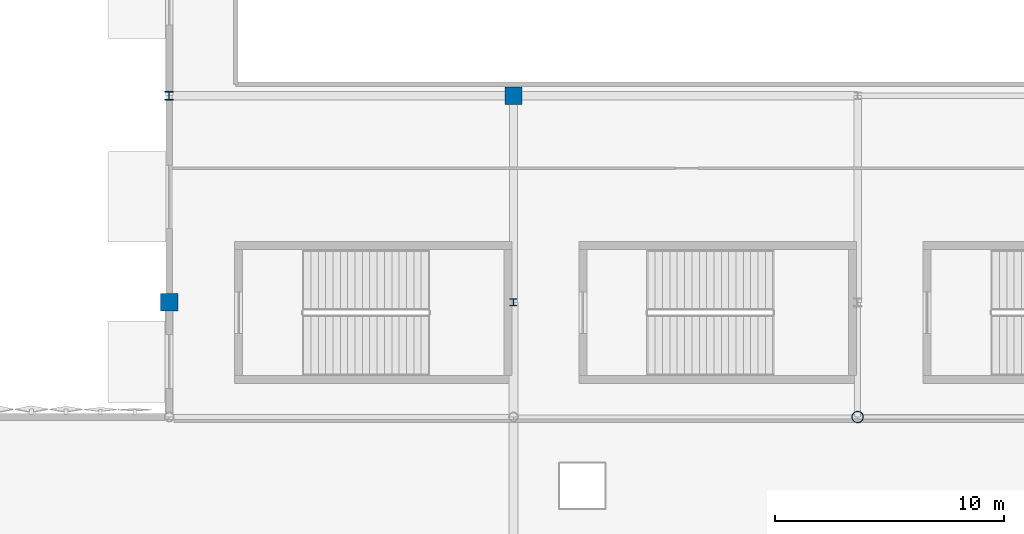
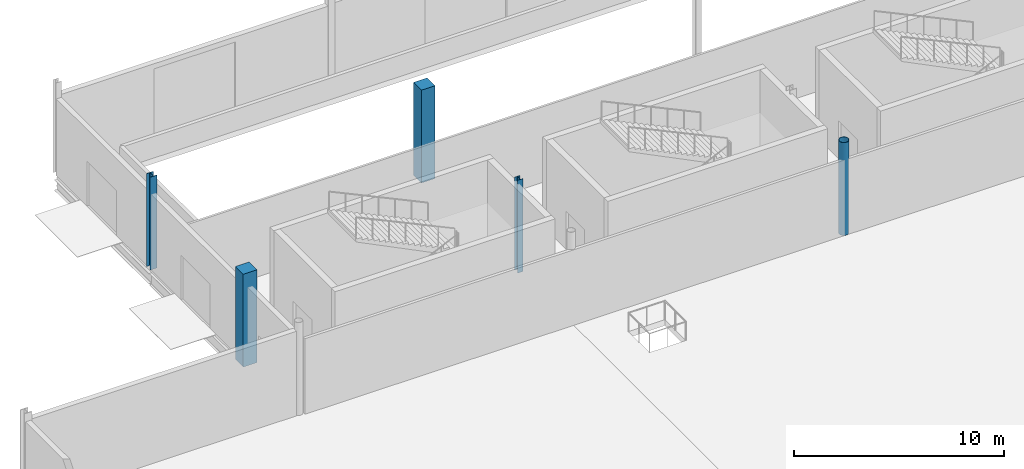
# One storey, part 8 of 94: 5 columns.
"""IFC4 building model written with IfcOpenShell, lengths in metres."""

from ifc_helpers import new_model, si_unit, direction, frame, origin, origin_2d, place, context, subcontext, project, spatial, rectangle, hollow_circle, i_section, extrude, material, material_profile, profile_set, type_object, element, save


model = new_model("IFC4")

# Units and contexts
model_context = context("Model", 3, precision=1e-05, world=origin(), true_north=direction((0.0, 1.0)))
body_context = subcontext(model_context, "Body", "Model", "MODEL_VIEW")
ifc_project = project(units=[si_unit("LENGTHUNIT", "METRE"), si_unit("AREAUNIT", "SQUARE_METRE"), si_unit("VOLUMEUNIT", "CUBIC_METRE"), si_unit("PLANEANGLEUNIT", "RADIAN"), si_unit("MASSUNIT", "GRAM", prefix="KILO")], contexts=[model_context])

# Site, building, storey
site_placement = place(None, origin())
site = spatial("IfcSite", under=ifc_project, at=site_placement, CompositionType="ELEMENT")
building_placement = place(site_placement, origin())
building = spatial("IfcBuilding", under=site, at=building_placement, Name="Qamarlyn Nura Convention Centre", CompositionType="ELEMENT")
storey_placement = place(building_placement, origin())
storey = spatial("IfcBuildingStorey", under=building, at=storey_placement, Name="L00", CompositionType="ELEMENT", Elevation=0.0)

# Columns
ifc_material_1 = material(Name="Pearl-white PVDF steel ASTM A500 Grade C", Category="steel")
ifc_material_profile_1 = material_profile(ifc_material_1, hollow_circle(Radius=0.25390625, WallThickness=0.02001953125, at=origin_2d()), Name="CHS508X20")
ifc_profile_set_1 = profile_set([ifc_material_profile_1], Name="Pearl-white PVDF steel ASTM A500 Grade C")
column_type_1 = type_object("IfcColumnType", Name="COL-HALL-1", PredefinedType="COLUMN", material=ifc_profile_set_1)
column_1_placement = place(storey_placement, frame((45.0, 103.0, 0.0), z_axis=(0.0, 0.0, 1.0), x_axis=(1.0, 0.0, 0.0)))
element("IfcColumn", 1, at=column_1_placement, inside=storey, type_object=column_type_1, Name="L00 column 4/M", PredefinedType="COLUMN", context=body_context, shape_type="SweptSolid", body=[
    extrude(hollow_circle(Radius=0.25390625, WallThickness=0.02001953125, at=origin_2d()), origin(), (0.0, 0.0, 1.0), 5.39990234375),
])
ifc_material_2 = material(Name="Concrete C50/60", Category="concrete")
ifc_material_profile_2 = material_profile(ifc_material_2, rectangle(XDim=0.75, YDim=0.75, at=origin_2d()), Name="RC 750x750")
ifc_profile_set_2 = profile_set([ifc_material_profile_2], Name="Concrete C50/60")
column_type_2 = type_object("IfcColumnType", Name="COL-SUB-2", PredefinedType="COLUMN", material=ifc_profile_set_2)
for number, where, z_axis, x_axis, name in (
    (2, (15.0, 108.0, 0.0), (0.0, 0.0, 1.0), (1.0, 0.0, 0.0), "L00 column 2/N"),
    (3, (30.0, 117.0, 0.0), (0.0, 0.0, 1.0), (1.0, 0.0, 0.0), "L00 column 3/P"),
):
    element("IfcColumn", number, at=place(storey_placement, frame(where, z_axis=z_axis, x_axis=x_axis)), inside=storey, type_object=column_type_2, Name=name, PredefinedType="COLUMN", context=body_context, shape_type="SweptSolid", body=[
        extrude(rectangle(XDim=0.75, YDim=0.75, at=origin_2d()), origin(), (0.0, 0.0, 1.0), 5.39990234375),
    ])
ifc_material_3 = material(Name="Steel ASTM A992", Category="steel")
ifc_material_profile_3 = material_profile(ifc_material_3, i_section(OverallWidth=0.3740234375, OverallDepth=0.3720703125, WebThickness=0.016357421875, FlangeThickness=0.026123046875, FilletRadius=0.01611328125, at=origin_2d()), Name="W360X196")
ifc_profile_set_3 = profile_set([ifc_material_profile_3], Name="Steel ASTM A992")
column_type_3 = type_object("IfcColumnType", Name="COL-WING-2", PredefinedType="COLUMN", material=ifc_profile_set_3)
column_2_placement = place(storey_placement, frame((15.0, 117.0, 0.0), z_axis=(0.0, 0.0, 1.0), x_axis=(1.0, 0.0, 0.0)))
element("IfcColumn", 4, at=column_2_placement, inside=storey, type_object=column_type_3, Name="L00 column 2/P", PredefinedType="COLUMN", context=body_context, shape_type="SweptSolid", body=[
    extrude(i_section(OverallWidth=0.3740234375, OverallDepth=0.3720703125, WebThickness=0.016357421875, FlangeThickness=0.026123046875, FilletRadius=0.01611328125, at=origin_2d()), origin(), (0.0, 0.0, 1.0), 5.39990234375),
])
ifc_material_profile_4 = material_profile(ifc_material_3, i_section(OverallWidth=0.304931640625, OverallDepth=0.30810546875, WebThickness=0.010009765625, FlangeThickness=0.015380859375, FilletRadius=0.014892578125, at=origin_2d()), Name="W310X97")
ifc_profile_set_4 = profile_set([ifc_material_profile_4], Name="Steel ASTM A992")
column_type_4 = type_object("IfcColumnType", Name="COL-WING-4", PredefinedType="COLUMN", material=ifc_profile_set_4)
column_3_placement = place(storey_placement, frame((30.0, 108.0, 0.0), z_axis=(0.0, 0.0, 1.0), x_axis=(1.0, 0.0, 0.0)))
element("IfcColumn", 5, at=column_3_placement, inside=storey, type_object=column_type_4, Name="L00 column 3/N", PredefinedType="COLUMN", context=body_context, shape_type="SweptSolid", body=[
    extrude(i_section(OverallWidth=0.304931640625, OverallDepth=0.30810546875, WebThickness=0.010009765625, FlangeThickness=0.015380859375, FilletRadius=0.014892578125, at=origin_2d()), origin(), (0.0, 0.0, 1.0), 5.39990234375),
])

save(model, "model.ifc")
